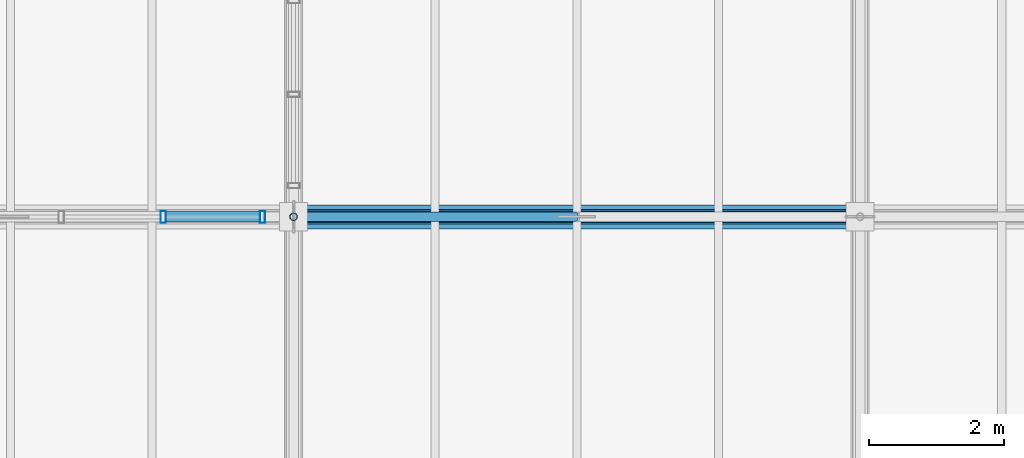
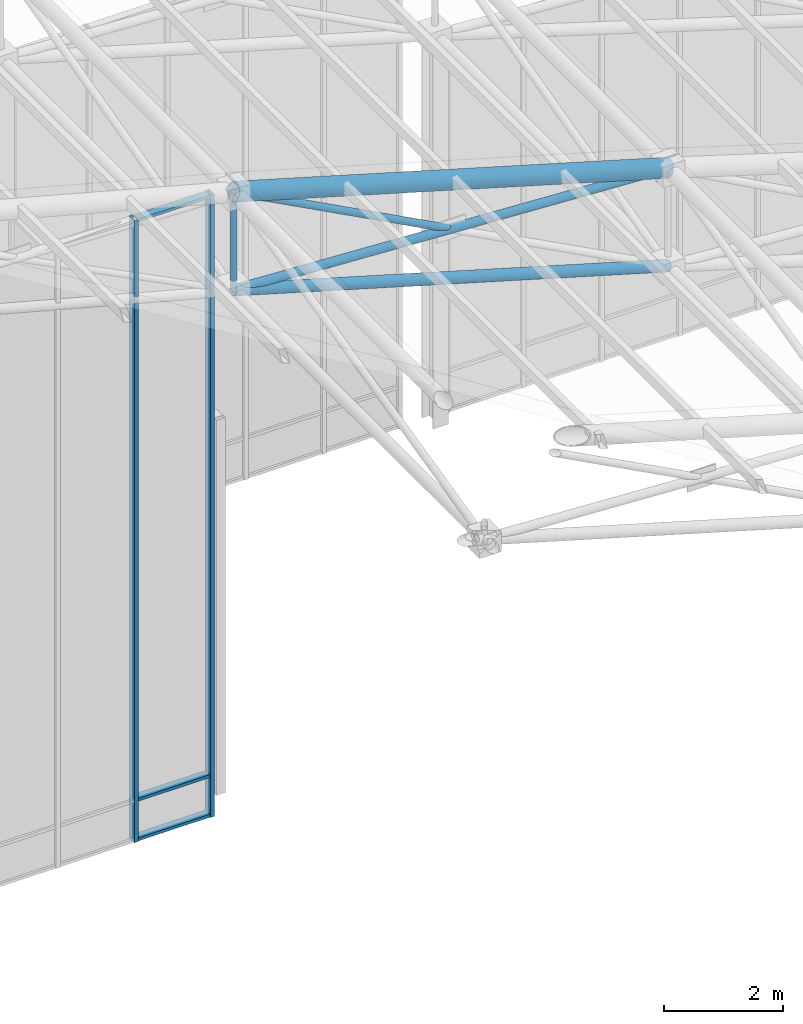
# One storey, part 77 of 144: 10 members, 1 element without a shape of its own.
"""IFC4 building model written with IfcOpenShell, lengths in metres."""

from ifc_helpers import new_model, si_unit, direction, frame, origin, origin_2d, place, context, subcontext, project, spatial, hollow_rectangle, hollow_circle, extrude, material, layer, layer_set, material_profile, profile_set, type_object, element, aggregate, save


model = new_model("IFC4")

# Units and contexts
model_context = context("Model", 3, precision=1e-05, world=origin(), true_north=direction((0.0, 1.0)))
body_context = subcontext(model_context, "Body", "Model", "MODEL_VIEW")
ifc_project = project(units=[si_unit("LENGTHUNIT", "METRE"), si_unit("AREAUNIT", "SQUARE_METRE"), si_unit("VOLUMEUNIT", "CUBIC_METRE"), si_unit("PLANEANGLEUNIT", "RADIAN"), si_unit("MASSUNIT", "GRAM", prefix="KILO")], contexts=[model_context])

# Site, building, storey
site_placement = place(None, origin())
site = spatial("IfcSite", under=ifc_project, at=site_placement, CompositionType="ELEMENT")
building_placement = place(site_placement, origin())
building = spatial("IfcBuilding", under=site, at=building_placement, Name="Zayran Congress Hotel", CompositionType="ELEMENT")
storey_placement = place(building_placement, frame((0.0, 0.0, 19.199951171875)))
storey = spatial("IfcBuildingStorey", under=building, at=storey_placement, Name="L04", CompositionType="ELEMENT", Elevation=19.199951171875)

# Members
ifc_material_1 = material(Name="Steel S355", Category="steel")
ifc_material_profile_1 = material_profile(ifc_material_1, hollow_circle(Radius=0.177734375, WallThickness=0.01611328125, at=origin_2d()), Name="CHS 355.6x16")
ifc_profile_set_1 = profile_set([ifc_material_profile_1], Name="Steel S355")
member_type_1 = type_object("IfcMemberType", Name="TP-SF-TC1", PredefinedType="CHORD", material=ifc_profile_set_1)
member_1_placement = place(storey_placement, frame((58.800048828125, 109.60009765625, 12.35205078125), z_axis=(0.960000625005, 0.0, -0.279997857116), x_axis=(0.0, 1.0, 0.0)))
element("IfcMember", 1, at=member_1_placement, inside=storey, type_object=member_type_1, Name="Space Frame Top Chord X 371", PredefinedType="CHORD", context=body_context, shape_type="SweptSolid", body=[
    extrude(hollow_circle(Radius=0.177734375, WallThickness=0.01611328125, at=origin_2d()), origin(), (0.0, 0.0, 1.0), 8.75),
])
ifc_material_profile_2 = material_profile(ifc_material_1, hollow_circle(Radius=0.109619140625, WallThickness=0.010009765625, at=origin_2d()), Name="CHS 219.1x10")
ifc_profile_set_2 = profile_set([ifc_material_profile_2], Name="Steel S355")
member_type_2 = type_object("IfcMemberType", Name="TP-SF-BC1", PredefinedType="CHORD", material=ifc_profile_set_2)
member_2_placement = place(storey_placement, frame((58.800048828125, 109.60009765625, 10.35009765625), z_axis=(0.960000625005, 0.0, -0.279997857116), x_axis=(0.0, 1.0, 0.0)))
element("IfcMember", 2, at=member_2_placement, inside=storey, type_object=member_type_2, Name="Space Frame Bottom Chord X 372", PredefinedType="CHORD", context=body_context, shape_type="SweptSolid", body=[
    extrude(hollow_circle(Radius=0.109619140625, WallThickness=0.010009765625, at=origin_2d()), origin(), (0.0, 0.0, 1.0), 8.75),
])
ifc_material_profile_3 = material_profile(ifc_material_1, hollow_circle(Radius=0.084228515625, WallThickness=0.008056640625, at=origin_2d()), Name="CHS 168.3x8")
ifc_profile_set_3 = profile_set([ifc_material_profile_3], Name="Steel S355")
member_type_3 = type_object("IfcMemberType", Name="TP-SF-DG1", PredefinedType="BRACE", material=ifc_profile_set_3)
member_3_placement = place(storey_placement, frame((58.800048828125, 109.60009765625, 10.35009765625), z_axis=(0.998580784097, 0.0, -0.053258028798), x_axis=(0.0, 1.0, 0.0)))
element("IfcMember", 3, at=member_3_placement, inside=storey, type_object=member_type_3, Name="Space Frame Web Diagonal X 373", PredefinedType="BRACE", context=body_context, shape_type="SweptSolid", body=[
    extrude(hollow_circle(Radius=0.084228515625, WallThickness=0.008056640625, at=origin_2d()), origin(), (0.0, 0.0, 1.0), 8.411865234375),
])
ifc_material_profile_4 = material_profile(ifc_material_1, hollow_circle(Radius=0.06982421875, WallThickness=0.00634765625, at=origin_2d()), Name="CHS 139.7x6.3")
ifc_profile_set_4 = profile_set([ifc_material_profile_4], Name="Steel S355")
member_type_4 = type_object("IfcMemberType", Name="TP-SF-DG2", PredefinedType="BRACE", material=ifc_profile_set_4)
member_4_placement = place(storey_placement, frame((58.800048828125, 109.60009765625, 12.35205078125), z_axis=(0.883572260403, 0.0, -0.468294843711), x_axis=(0.0, 1.0, 0.0)))
element("IfcMember", 4, at=member_4_placement, inside=storey, type_object=member_type_4, Name="Space Frame Counter Diagonal X Upper 374", PredefinedType="BRACE", context=body_context, shape_type="SweptSolid", body=[
    extrude(hollow_circle(Radius=0.06982421875, WallThickness=0.00634765625, at=origin_2d()), origin(), (0.0, 0.0, 1.0), 4.738525390625),
])
ifc_material_profile_5 = material_profile(ifc_material_1, hollow_circle(Radius=0.05712890625, WallThickness=0.00634765625, at=origin_2d()), Name="CHS 114.3x6.3")
ifc_profile_set_5 = profile_set([ifc_material_profile_5], Name="Steel S355")
member_type_5 = type_object("IfcMemberType", Name="TP-SF-DG3", PredefinedType="BRACE", material=ifc_profile_set_5)
member_5_placement = place(storey_placement, frame((58.800048828125, 109.60009765625, 10.35009765625), z_axis=(0.0, 0.0, 1.0), x_axis=(0.0, 1.0, 0.0)))
element("IfcMember", 5, at=member_5_placement, inside=storey, type_object=member_type_5, Name="Space Frame Web Strut 378", PredefinedType="BRACE", context=body_context, shape_type="SweptSolid", body=[
    extrude(hollow_circle(Radius=0.05712890625, WallThickness=0.00634765625, at=origin_2d()), origin(), (0.0, 0.0, 1.0), 2.001953125),
])

# Curtain wall, members
ifc_material_2 = material(Name="Anodised aluminium and low-E insulated glass", Category="aluminium")
ifc_layer = layer(ifc_material_2, 0.179931640625)
ifc_layer_set = layer_set([ifc_layer], Name="Anodised aluminium and low-E insulated glass")
curtain_wall_type = type_object("IfcCurtainWallType", Name="CW-V1CL-L04-CW-23-7560-12720", PredefinedType="USERDEFINED", material=ifc_layer_set)
curtain_wall_placement = place(storey_placement, origin())
curtain_wall = element("IfcCurtainWall", 6, at=curtain_wall_placement, inside=storey, type_object=curtain_wall_type, Name="CW-V1CLN-5", ObjectType="CURTAIN WALL", PredefinedType="USERDEFINED")
ifc_material_3 = material(Name="Anodised aluminium framing", Category="aluminium")
ifc_material_profile_6 = material_profile(ifc_material_3, hollow_rectangle(XDim=0.080078125, YDim=0.179931640625, WallThickness=0.0048828125, at=origin_2d()), Name="RHS 180x80x5")
ifc_profile_set_6 = profile_set([ifc_material_profile_6], Name="Anodised aluminium framing")
member_type_6 = type_object("IfcMemberType", Name="TP-CWM-01", PredefinedType="MULLION", material=ifc_profile_set_6)
member_6_placement = place(storey_placement, frame((58.340087890625, 109.60009765625, -0.219970703125), z_axis=(0.0, 0.0, 1.0), x_axis=(1.0, 0.0, 0.0)))
member_6 = element("IfcMember", 7, at=member_6_placement, type_object=member_type_6, Name="CW-V1CLN-5-M00", PredefinedType="MULLION", context=body_context, shape_type="SweptSolid", body=[
    extrude(hollow_rectangle(XDim=0.080078125, YDim=0.179931640625, WallThickness=0.0048828125, at=origin_2d()), origin(), (0.0, 0.0, 1.0), 12.719970703125),
])
member_7_placement = place(storey_placement, frame((56.867919921875, 109.60009765625, -0.219970703125), z_axis=(0.0, 0.0, 1.0), x_axis=(1.0, 0.0, 0.0)))
member_7 = element("IfcMember", 8, at=member_7_placement, type_object=member_type_6, Name="CW-V1CLN-5-M01", PredefinedType="MULLION", context=body_context, shape_type="SweptSolid", body=[
    extrude(hollow_rectangle(XDim=0.080078125, YDim=0.179931640625, WallThickness=0.0048828125, at=origin_2d()), origin(), (0.0, 0.0, 1.0), 12.719970703125),
])
ifc_material_profile_7 = material_profile(ifc_material_3, hollow_rectangle(XDim=0.06005859375, YDim=0.14990234375, WallThickness=0.00390625, at=origin_2d()), Name="RHS 150x60x4")
ifc_profile_set_7 = profile_set([ifc_material_profile_7], Name="Anodised aluminium framing")
member_type_7 = type_object("IfcMemberType", Name="TP-CWT-01", PredefinedType="USERDEFINED", material=ifc_profile_set_7)
member_8_placement = place(storey_placement, frame((58.300048828125, 109.60009765625, -0.18994140625), z_axis=(-1.0, 0.0, 0.0), x_axis=(0.0, 0.0, 1.0)))
member_8 = element("IfcMember", 9, at=member_8_placement, type_object=member_type_7, Name="CW-V1CLN-5-T00-0", ObjectType="TRANSOM", PredefinedType="USERDEFINED", context=body_context, shape_type="SweptSolid", body=[
    extrude(hollow_rectangle(XDim=0.06005859375, YDim=0.14990234375, WallThickness=0.00390625, at=origin_2d()), origin(), (0.0, 0.0, 1.0), 1.39208984375),
])
member_9_placement = place(storey_placement, frame((58.300048828125, 109.60009765625, 0.6201171875), z_axis=(-1.0, 0.0, 0.0), x_axis=(0.0, 0.0, 1.0)))
member_9 = element("IfcMember", 10, at=member_9_placement, type_object=member_type_7, Name="CW-V1CLN-5-T00-1", ObjectType="TRANSOM", PredefinedType="USERDEFINED", context=body_context, shape_type="SweptSolid", body=[
    extrude(hollow_rectangle(XDim=0.06005859375, YDim=0.14990234375, WallThickness=0.00390625, at=origin_2d()), origin(), (0.0, 0.0, 1.0), 1.39208984375),
])
member_10_placement = place(storey_placement, frame((58.300048828125, 109.60009765625, 12.469970703125), z_axis=(-1.0, 0.0, 0.0), x_axis=(0.0, 0.0, 1.0)))
member_10 = element("IfcMember", 11, at=member_10_placement, type_object=member_type_7, Name="CW-V1CLN-5-T00-2", ObjectType="TRANSOM", PredefinedType="USERDEFINED", context=body_context, shape_type="SweptSolid", body=[
    extrude(hollow_rectangle(XDim=0.06005859375, YDim=0.14990234375, WallThickness=0.00390625, at=origin_2d()), origin(), (0.0, 0.0, 1.0), 1.39208984375),
])
aggregate(curtain_wall, [member_6, member_7, member_8, member_9, member_10])

save(model, "model.ifc")
